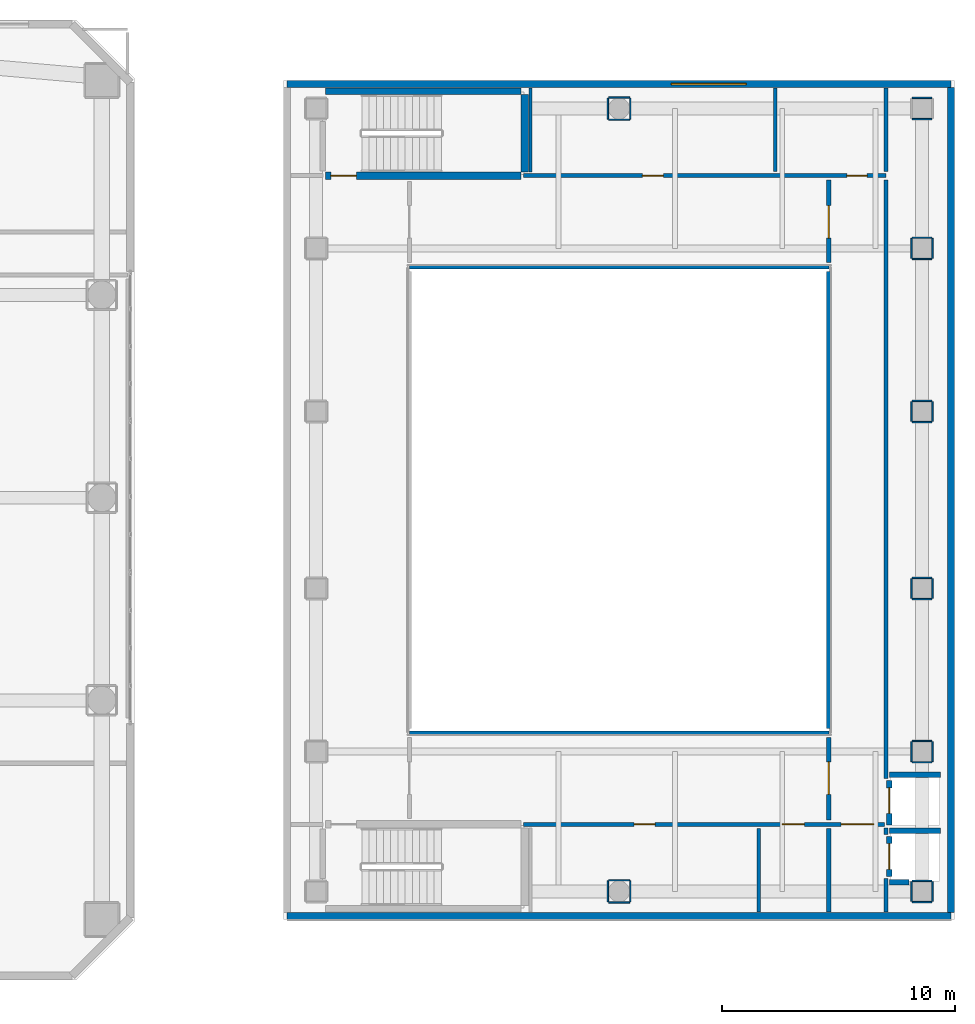
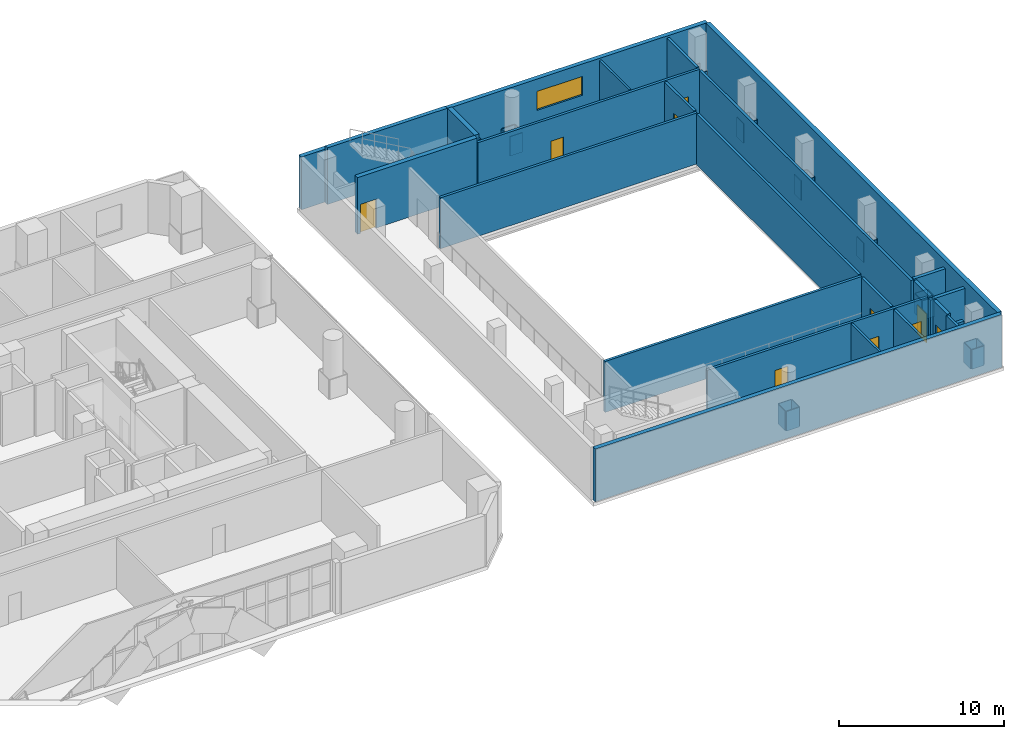
# One storey, part 18 of 22: 56 walls, 10 doors, 1 window, 11 openings.
"""IFC4 building model written with IfcOpenShell, lengths in metres."""

from ifc_helpers import new_model, si_unit, direction, frame, frame_2d, origin, place, context, subcontext, project, spatial, rectangle, extrude, material, layer, layer_set, type_object, element, fill, save


model = new_model("IFC4")

# Units and contexts
model_context = context("Model", 3, precision=1e-05, world=origin(), true_north=direction((0.0, 1.0)))
body_context = subcontext(model_context, "Body", "Model", "MODEL_VIEW")
ifc_project = project(units=[si_unit("LENGTHUNIT", "METRE"), si_unit("AREAUNIT", "SQUARE_METRE"), si_unit("VOLUMEUNIT", "CUBIC_METRE"), si_unit("PLANEANGLEUNIT", "RADIAN"), si_unit("MASSUNIT", "GRAM", prefix="KILO")], contexts=[model_context])

# Site, building, storey
site_placement = place(None, origin())
site = spatial("IfcSite", under=ifc_project, at=site_placement, CompositionType="ELEMENT")
building_placement = place(site_placement, origin())
building = spatial("IfcBuilding", under=site, at=building_placement, Name="Solanera Arch Residences", CompositionType="ELEMENT")
storey_placement = place(building_placement, frame((0.0, 0.0, 13.60009765625)))
storey = spatial("IfcBuildingStorey", under=building, at=storey_placement, Name="L03", CompositionType="ELEMENT", Elevation=13.60009765625)

# Walls
ifc_material_1 = material(Name="Fire-Rated Gypsum Stud Partition", Category="gypsum")
ifc_layer_1 = layer(ifc_material_1, 0.06005859375)
ifc_layer_set_1 = layer_set([ifc_layer_1], Name="Fire-Rated Gypsum Stud Partition")
wall_type_1 = type_object("IfcWallType", Name="Column Acoustic Furring Wall 60", PredefinedType="PARTITIONING", material=ifc_layer_set_1)
for number, where, z_axis, x_axis, name in (
    (1, (81.375, 13.343017578125, 0.0), (0.0, 0.0, 1.0), (1.0, 0.0, 0.0), "L03 Column Furring 31S"),
    (2, (81.375, 14.257080078125, 0.0), (0.0, 0.0, 1.0), (1.0, 0.0, 0.0), "L03 Column Furring 31N"),
    (3, (81.343017578125, 13.375, 0.0), (0.0, 0.0, 1.0), (0.0, 1.0, 0.0), "L03 Column Furring 31W"),
    (4, (82.257080078125, 13.375, 0.0), (0.0, 0.0, 1.0), (0.0, 1.0, 0.0), "L03 Column Furring 31E"),
    (5, (81.375, 19.343017578125, 0.0), (0.0, 0.0, 1.0), (1.0, 0.0, 0.0), "L03 Column Furring 32S"),
    (6, (81.375, 20.257080078125, 0.0), (0.0, 0.0, 1.0), (1.0, 0.0, 0.0), "L03 Column Furring 32N"),
    (7, (81.343017578125, 19.375, 0.0), (0.0, 0.0, 1.0), (0.0, 1.0, 0.0), "L03 Column Furring 32W"),
    (8, (82.257080078125, 19.375, 0.0), (0.0, 0.0, 1.0), (0.0, 1.0, 0.0), "L03 Column Furring 32E"),
    (9, (81.375, 26.343017578125, 0.0), (0.0, 0.0, 1.0), (1.0, 0.0, 0.0), "L03 Column Furring 33S"),
    (10, (81.375, 27.257080078125, 0.0), (0.0, 0.0, 1.0), (1.0, 0.0, 0.0), "L03 Column Furring 33N"),
    (11, (81.343017578125, 26.375, 0.0), (0.0, 0.0, 1.0), (0.0, 1.0, 0.0), "L03 Column Furring 33W"),
    (12, (82.257080078125, 26.375, 0.0), (0.0, 0.0, 1.0), (0.0, 1.0, 0.0), "L03 Column Furring 33E"),
    (13, (81.375, 33.943115234375, 0.0), (0.0, 0.0, 1.0), (1.0, 0.0, 0.0), "L03 Column Furring 34S"),
    (14, (81.375, 34.85693359375, 0.0), (0.0, 0.0, 1.0), (1.0, 0.0, 0.0), "L03 Column Furring 34N"),
):
    element("IfcWall", number, at=place(storey_placement, frame(where, z_axis=z_axis, x_axis=x_axis)), inside=storey, type_object=wall_type_1, Name=name, PredefinedType="PARTITIONING", context=body_context, shape_type="SweptSolid", body=[
        extrude(rectangle(XDim=0.85009765625, YDim=0.06005859375, at=frame_2d((0.425048828125, 0.0))), origin(), (0.0, 0.0, 1.0), 1.449951171875),
    ])
for number, where, z_axis, x_axis, name in (
    (15, (81.343017578125, 33.97509765625, 0.0), (0.0, 0.0, 1.0), (0.0, 1.0, 0.0), "L03 Column Furring 34W"),
    (16, (82.257080078125, 33.97509765625, 0.0), (0.0, 0.0, 1.0), (0.0, 1.0, 0.0), "L03 Column Furring 34E"),
):
    element("IfcWall", number, at=place(storey_placement, frame(where, z_axis=z_axis, x_axis=x_axis)), inside=storey, type_object=wall_type_1, Name=name, PredefinedType="PARTITIONING", context=body_context, shape_type="SweptSolid", body=[
        extrude(rectangle(XDim=0.849853515625, YDim=0.06005859375, at=frame_2d((0.4248046875, 0.0))), origin(), (0.0, 0.0, 1.0), 1.449951171875),
    ])
for number, where, z_axis, x_axis, name in (
    (17, (81.375, 40.943115234375, 0.0), (0.0, 0.0, 1.0), (1.0, 0.0, 0.0), "L03 Column Furring 35S"),
    (18, (81.375, 41.85693359375, 0.0), (0.0, 0.0, 1.0), (1.0, 0.0, 0.0), "L03 Column Furring 35N"),
):
    element("IfcWall", number, at=place(storey_placement, frame(where, z_axis=z_axis, x_axis=x_axis)), inside=storey, type_object=wall_type_1, Name=name, PredefinedType="PARTITIONING", context=body_context, shape_type="SweptSolid", body=[
        extrude(rectangle(XDim=0.85009765625, YDim=0.06005859375, at=frame_2d((0.425048828125, 0.0))), origin(), (0.0, 0.0, 1.0), 1.449951171875),
    ])
for number, where, z_axis, x_axis, name in (
    (19, (81.343017578125, 40.97509765625, 0.0), (0.0, 0.0, 1.0), (0.0, 1.0, 0.0), "L03 Column Furring 35W"),
    (20, (82.257080078125, 40.97509765625, 0.0), (0.0, 0.0, 1.0), (0.0, 1.0, 0.0), "L03 Column Furring 35E"),
):
    element("IfcWall", number, at=place(storey_placement, frame(where, z_axis=z_axis, x_axis=x_axis)), inside=storey, type_object=wall_type_1, Name=name, PredefinedType="PARTITIONING", context=body_context, shape_type="SweptSolid", body=[
        extrude(rectangle(XDim=0.849853515625, YDim=0.06005859375, at=frame_2d((0.4248046875, 0.0))), origin(), (0.0, 0.0, 1.0), 1.449951171875),
    ])
for number, where, z_axis, x_axis, name in (
    (21, (81.375, 46.943115234375, 0.0), (0.0, 0.0, 1.0), (1.0, 0.0, 0.0), "L03 Column Furring 36S"),
    (22, (81.375, 47.85693359375, 0.0), (0.0, 0.0, 1.0), (1.0, 0.0, 0.0), "L03 Column Furring 36N"),
):
    element("IfcWall", number, at=place(storey_placement, frame(where, z_axis=z_axis, x_axis=x_axis)), inside=storey, type_object=wall_type_1, Name=name, PredefinedType="PARTITIONING", context=body_context, shape_type="SweptSolid", body=[
        extrude(rectangle(XDim=0.85009765625, YDim=0.06005859375, at=frame_2d((0.425048828125, 0.0))), origin(), (0.0, 0.0, 1.0), 1.449951171875),
    ])
for number, where, z_axis, x_axis, name in (
    (23, (68.35009765625, 13.318115234375, 0.0), (0.0, 0.0, 1.0), (1.0, 0.0, 0.0), "L03 Column Furring 37S"),
    (24, (68.35009765625, 14.281982421875, 0.0), (0.0, 0.0, 1.0), (1.0, 0.0, 0.0), "L03 Column Furring 37N"),
    (25, (68.318115234375, 13.35009765625, 0.0), (0.0, 0.0, 1.0), (0.0, 1.0, 0.0), "L03 Column Furring 37W"),
    (26, (69.281982421875, 13.35009765625, 0.0), (0.0, 0.0, 1.0), (0.0, 1.0, 0.0), "L03 Column Furring 37E"),
    (27, (68.35009765625, 46.91796875, 0.0), (0.0, 0.0, 1.0), (1.0, 0.0, 0.0), "L03 Column Furring 38S"),
    (28, (68.35009765625, 47.882080078125, 0.0), (0.0, 0.0, 1.0), (1.0, 0.0, 0.0), "L03 Column Furring 38N"),
):
    element("IfcWall", number, at=place(storey_placement, frame(where, z_axis=z_axis, x_axis=x_axis)), inside=storey, type_object=wall_type_1, Name=name, PredefinedType="PARTITIONING", context=body_context, shape_type="SweptSolid", body=[
        extrude(rectangle(XDim=0.89990234375, YDim=0.06005859375, at=frame_2d((0.449951171875, 0.0))), origin(), (0.0, 0.0, 1.0), 1.449951171875),
    ])
for number, where, z_axis, x_axis, name in (
    (29, (68.318115234375, 46.949951171875, 0.0), (0.0, 0.0, 1.0), (0.0, 1.0, 0.0), "L03 Column Furring 38W"),
    (30, (69.281982421875, 46.949951171875, 0.0), (0.0, 0.0, 1.0), (0.0, 1.0, 0.0), "L03 Column Furring 38E"),
):
    element("IfcWall", number, at=place(storey_placement, frame(where, z_axis=z_axis, x_axis=x_axis)), inside=storey, type_object=wall_type_1, Name=name, PredefinedType="PARTITIONING", context=body_context, shape_type="SweptSolid", body=[
        extrude(rectangle(XDim=0.900146484375, YDim=0.06005859375, at=frame_2d((0.4501953125, 0.0))), origin(), (0.0, 0.0, 1.0), 1.449951171875),
    ])
ifc_material_2 = material(Name="Concrete C40/50 (f'c = 45 MPa)", Category="concrete")
ifc_layer_2 = layer(ifc_material_2, 0.320068359375)
ifc_layer_set_2 = layer_set([ifc_layer_2], Name="Concrete C40/50 (f'c = 45 MPa)")
wall_type_2 = type_object("IfcWallType", Name="Core Shear Wall CW-320", PredefinedType="SHEAR", material=ifc_layer_set_2)
wall_1_placement = place(storey_placement, frame((64.760009765625, 44.679931640625, 0.0), z_axis=(0.0, 0.0, 1.0), x_axis=(0.0, 1.0, 0.0)))
element("IfcWall", 31, at=wall_1_placement, inside=storey, type_object=wall_type_2, Name="L03 Stair ST-H2 East Shear Wall", PredefinedType="SHEAR", context=body_context, shape_type="SweptSolid", body=[
    extrude(rectangle(XDim=3.320068359375, YDim=0.320068359375, at=frame_2d((1.66015625, 0.0))), origin(), (0.0, 0.0, 1.0), 4.199951171875),
])
wall_2_placement = place(storey_placement, frame((56.199951171875, 48.139892578125, 0.0), z_axis=(0.0, 0.0, 1.0), x_axis=(1.0, 0.0, 0.0)))
element("IfcWall", 32, at=wall_2_placement, inside=storey, type_object=wall_type_2, Name="L03 Stair ST-H2 North Shear Wall", PredefinedType="SHEAR", context=body_context, shape_type="SweptSolid", body=[
    extrude(rectangle(XDim=8.400146484375, YDim=0.280029296875, at=frame_2d((4.2001953125, 0.0))), origin(), (0.0, 0.0, 1.0), 4.199951171875),
])

# Wall, opening, door
wall_3_placement = place(storey_placement, frame((56.199951171875, 44.52001953125, 0.0), z_axis=(0.0, 0.0, 1.0), x_axis=(1.0, 0.0, 0.0)))
wall_3 = element("IfcWall", 33, at=wall_3_placement, inside=storey, type_object=wall_type_2, Name="L03 Stair ST-H2 South Shear Wall", PredefinedType="SHEAR", context=body_context, shape_type="SweptSolid", body=[
    extrude(rectangle(XDim=8.400146484375, YDim=0.320068359375, at=frame_2d((4.2001953125, 0.0))), origin(), (0.0, 0.0, 1.0), 4.199951171875),
])
opening_1_placement = place(wall_3_placement, frame((0.22998046875, 0.0, 0.0)))
opening_1 = element("IfcOpeningElement", 34, at=opening_1_placement, cuts=wall_3, Name="Opening DF-01", PredefinedType="OPENING", context=body_context, shape_type="SweptSolid", body=[
    extrude(rectangle(XDim=1.10009765625, YDim=2.14990234375, at=frame_2d((0.550048828125, 1.074951171875))), frame((0.0, 0.169921875, 0.0), z_axis=(0.0, -1.0, 0.0), x_axis=(1.0, 0.0, 0.0)), (0.0, 0.0, 1.0), 0.3401),
])
ifc_material_3 = material(Name="Fire-Rated Architectural Hardwood", Category="wood")
door_type_1 = type_object("IfcDoorType", Name="Stair Exit Fire Door DF-01", OperationType="NOTDEFINED", PredefinedType="DOOR", material=ifc_material_3)
door_1_placement = place(opening_1_placement, origin())
door_1 = element("IfcDoor", 35, at=door_1_placement, inside=storey, type_object=door_type_1, Name="DR-L03-STAIR-ST-H2", OperationType="SINGLE_SWING_RIGHT", OverallHeight=2.14990234375, OverallWidth=1.10009765625, PredefinedType="DOOR", context=body_context, shape_type="SweptSolid", body=[
    extrude(rectangle(XDim=1.10009765625, YDim=2.14990234375, at=frame_2d((0.550048828125, 1.074951171875))), frame((0.0, 0.02490234375, 0.0), z_axis=(0.0, -1.0, 0.0), x_axis=(1.0, 0.0, 0.0)), (0.0, 0.0, 1.0), 0.050048828125),
])
fill(opening_1, door_1)

# Wall, openings, doors
ifc_material_4 = material(Name="Autoclaved Aerated Concrete Blockwork", Category="masonry")
ifc_layer_3 = layer(ifc_material_4, 0.179931640625)
ifc_layer_set_3 = layer_set([ifc_layer_3], Name="Autoclaved Aerated Concrete Blockwork")
wall_type_3 = type_object("IfcWallType", Name="Corridor Fire Partition 180", PredefinedType="PARTITIONING", material=ifc_layer_set_3)
wall_4_placement = place(storey_placement, frame((64.699951171875, 16.679931640625, 0.0), z_axis=(0.0, 0.0, 1.0), x_axis=(1.0, 0.0, 0.0)))
wall_4 = element("IfcWall", 36, at=wall_4_placement, inside=storey, type_object=wall_type_3, Name="L03 Interior Partition H7 2", PredefinedType="PARTITIONING", context=body_context, shape_type="SweptSolid", body=[
    extrude(rectangle(XDim=15.48193359375, YDim=0.179931640625, at=frame_2d((7.740966796875, 0.0))), origin(), (0.0, 0.0, 1.0), 3.77978515625),
])
opening_2_placement = place(wall_4_placement, frame((13.625, 0.0, 0.0)))
opening_2 = element("IfcOpeningElement", 37, at=opening_2_placement, cuts=wall_4, Name="Opening DF-03", PredefinedType="OPENING", context=body_context, shape_type="SweptSolid", body=[
    extrude(rectangle(XDim=1.39990234375, YDim=2.14990234375, at=frame_2d((0.699951171875, 1.074951171875))), frame((0.0, 0.10009765625, 0.0), z_axis=(0.0, -1.0, 0.0), x_axis=(1.0, 0.0, 0.0)), (0.0, 0.0, 1.0), 0.1999),
])
opening_3_placement = place(wall_4_placement, frame((4.75, 0.0, 0.0)))
opening_3 = element("IfcOpeningElement", 38, at=opening_3_placement, cuts=wall_4, Name="Opening DI-02", PredefinedType="OPENING", context=body_context, shape_type="SweptSolid", body=[
    extrude(rectangle(XDim=0.89990234375, YDim=2.10009765625, at=frame_2d((0.449951171875, 1.050048828125))), frame((0.0, 0.10009765625, 0.0), z_axis=(0.0, -1.0, 0.0), x_axis=(1.0, 0.0, 0.0)), (0.0, 0.0, 1.0), 0.1999),
])
opening_4_placement = place(wall_4_placement, frame((11.10107421875, 0.0, 0.0)))
opening_4 = element("IfcOpeningElement", 39, at=opening_4_placement, cuts=wall_4, Name="Opening DI-04", PredefinedType="OPENING", context=body_context, shape_type="SweptSolid", body=[
    extrude(rectangle(XDim=0.949951171875, YDim=2.10009765625, at=frame_2d((0.47509765625, 1.050048828125))), frame((0.0, 0.10009765625, 0.0), z_axis=(0.0, -1.0, 0.0), x_axis=(1.0, 0.0, 0.0)), (0.0, 0.0, 1.0), 0.1999),
])
ifc_material_5 = material(Name="Fire-Rated Architectural Hardwood", Category="wood")
door_type_2 = type_object("IfcDoorType", Name="Accessible Restroom Door DI-04", OperationType="NOTDEFINED", PredefinedType="DOOR", material=ifc_material_5)
door_2_placement = place(opening_4_placement, origin())
door_2 = element("IfcDoor", 40, at=door_2_placement, inside=storey, type_object=door_type_2, Name="DR-L03-IN-034", OperationType="SINGLE_SWING_LEFT", OverallHeight=2.10009765625, OverallWidth=0.949951171875, PredefinedType="DOOR", context=body_context, shape_type="SweptSolid", body=[
    extrude(rectangle(XDim=0.949951171875, YDim=2.10009765625, at=frame_2d((0.47509765625, 1.050048828125))), frame((0.0, 0.02490234375, 0.0), z_axis=(0.0, -1.0, 0.0), x_axis=(1.0, 0.0, 0.0)), (0.0, 0.0, 1.0), 0.050048828125),
])
fill(opening_4, door_2)
ifc_material_6 = material(Name="Fire-Rated Architectural Hardwood", Category="wood")
door_type_3 = type_object("IfcDoorType", Name="Corridor Smoke Door DF-03", OperationType="NOTDEFINED", PredefinedType="DOOR", material=ifc_material_6)
door_3_placement = place(opening_2_placement, origin())
door_3 = element("IfcDoor", 41, at=door_3_placement, inside=storey, type_object=door_type_3, Name="DR-L03-IN-022", OperationType="SINGLE_SWING_LEFT", OverallHeight=2.14990234375, OverallWidth=1.39990234375, PredefinedType="DOOR", context=body_context, shape_type="SweptSolid", body=[
    extrude(rectangle(XDim=1.39990234375, YDim=2.14990234375, at=frame_2d((0.699951171875, 1.074951171875))), frame((0.0, 0.02490234375, 0.0), z_axis=(0.0, -1.0, 0.0), x_axis=(1.0, 0.0, 0.0)), (0.0, 0.0, 1.0), 0.050048828125),
])
fill(opening_2, door_3)
ifc_material_7 = material(Name="Fire-Rated Architectural Hardwood", Category="wood")
door_type_4 = type_object("IfcDoorType", Name="Suite Room Swing Door DI-02", OperationType="NOTDEFINED", PredefinedType="DOOR", material=ifc_material_7)
door_4_placement = place(opening_3_placement, origin())
door_4 = element("IfcDoor", 42, at=door_4_placement, inside=storey, type_object=door_type_4, Name="DR-L03-IN-033", OperationType="SINGLE_SWING_RIGHT", OverallHeight=2.10009765625, OverallWidth=0.89990234375, PredefinedType="DOOR", context=body_context, shape_type="SweptSolid", body=[
    extrude(rectangle(XDim=0.89990234375, YDim=2.10009765625, at=frame_2d((0.449951171875, 1.050048828125))), frame((0.0, 0.02490234375, 0.0), z_axis=(0.0, -1.0, 0.0), x_axis=(1.0, 0.0, 0.0)), (0.0, 0.0, 1.0), 0.050048828125),
])
fill(opening_3, door_4)

# Walls
for number, where, z_axis, x_axis, name in (
    (43, (59.800048828125, 20.60009765625, 0.0), (0.0, 0.0, 1.0), (1.0, 0.0, 0.0), "L03 Interior Partition H9"),
    (44, (59.800048828125, 40.60009765625, 0.0), (0.0, 0.0, 1.0), (1.0, 0.0, 0.0), "L03 Interior Partition H14"),
):
    element("IfcWall", number, at=place(storey_placement, frame(where, z_axis=z_axis, x_axis=x_axis)), inside=storey, type_object=wall_type_3, Name=name, PredefinedType="PARTITIONING", context=body_context, shape_type="SweptSolid", body=[
        extrude(rectangle(XDim=18.0, YDim=0.179931640625, at=frame_2d((9.0, 0.0))), origin(), (0.0, 0.0, 1.0), 3.77978515625),
    ])

# Wall, openings, doors
wall_5_placement = place(storey_placement, frame((64.699951171875, 44.52001953125, 0.0), z_axis=(0.0, 0.0, 1.0), x_axis=(1.0, 0.0, 0.0)))
wall_5 = element("IfcWall", 45, at=wall_5_placement, inside=storey, type_object=wall_type_3, Name="L03 Interior Partition H16 2", PredefinedType="PARTITIONING", context=body_context, shape_type="SweptSolid", body=[
    extrude(rectangle(XDim=15.550048828125, YDim=0.179931640625, at=frame_2d((7.77490234375, 0.0))), origin(), (0.0, 0.0, 1.0), 3.77978515625),
])
opening_5_placement = place(wall_5_placement, frame((5.10009765625, 0.0, 0.0)))
opening_5 = element("IfcOpeningElement", 46, at=opening_5_placement, cuts=wall_5, Name="Opening DI-02", PredefinedType="OPENING", context=body_context, shape_type="SweptSolid", body=[
    extrude(rectangle(XDim=0.89990234375, YDim=2.10009765625, at=frame_2d((0.449951171875, 1.050048828125))), frame((0.0, 0.10009765625, 0.0), z_axis=(0.0, -1.0, 0.0), x_axis=(1.0, 0.0, 0.0)), (0.0, 0.0, 1.0), 0.1999),
])
opening_6_placement = place(wall_5_placement, frame((13.881103515625, 0.0, 0.0)))
opening_6 = element("IfcOpeningElement", 47, at=opening_6_placement, cuts=wall_5, Name="Opening DI-05", PredefinedType="OPENING", context=body_context, shape_type="SweptSolid", body=[
    extrude(rectangle(XDim=0.860107421875, YDim=2.02001953125, at=frame_2d((0.43017578125, 1.010009765625))), frame((0.0, 0.10009765625, 0.0), z_axis=(0.0, -1.0, 0.0), x_axis=(1.0, 0.0, 0.0)), (0.0, 0.0, 1.0), 0.1999),
])
ifc_material_8 = material(Name="Fire-Rated Architectural Hardwood", Category="wood")
door_type_5 = type_object("IfcDoorType", Name="Bathroom Swing Door DI-05", OperationType="NOTDEFINED", PredefinedType="DOOR", material=ifc_material_8)
door_5_placement = place(opening_6_placement, origin())
door_5 = element("IfcDoor", 48, at=door_5_placement, inside=storey, type_object=door_type_5, Name="DR-L03-IN-036", OperationType="SINGLE_SWING_LEFT", OverallHeight=2.02001953125, OverallWidth=0.860107421875, PredefinedType="DOOR", context=body_context, shape_type="SweptSolid", body=[
    extrude(rectangle(XDim=0.860107421875, YDim=2.02001953125, at=frame_2d((0.43017578125, 1.010009765625))), frame((0.0, 0.02490234375, 0.0), z_axis=(0.0, -1.0, 0.0), x_axis=(1.0, 0.0, 0.0)), (0.0, 0.0, 1.0), 0.050048828125),
])
fill(opening_6, door_5)
door_6_placement = place(opening_5_placement, origin())
door_6 = element("IfcDoor", 49, at=door_6_placement, inside=storey, type_object=door_type_4, Name="DR-L03-IN-035", OperationType="SINGLE_SWING_RIGHT", OverallHeight=2.10009765625, OverallWidth=0.89990234375, PredefinedType="DOOR", context=body_context, shape_type="SweptSolid", body=[
    extrude(rectangle(XDim=0.89990234375, YDim=2.10009765625, at=frame_2d((0.449951171875, 1.050048828125))), frame((0.0, 0.02490234375, 0.0), z_axis=(0.0, -1.0, 0.0), x_axis=(1.0, 0.0, 0.0)), (0.0, 0.0, 1.0), 0.050048828125),
])
fill(opening_5, door_6)

# Wall
wall_6_placement = place(storey_placement, frame((77.800048828125, 12.912109375, 0.0), z_axis=(0.0, 0.0, 1.0), x_axis=(0.0, 1.0, 0.0)))
element("IfcWall", 50, at=wall_6_placement, inside=storey, type_object=wall_type_3, Name="L03 Interior Partition V15 1", PredefinedType="PARTITIONING", context=body_context, shape_type="SweptSolid", body=[
    extrude(rectangle(XDim=3.579833984375, YDim=0.179931640625, at=frame_2d((1.7900390625, 0.0))), origin(), (0.0, 0.0, 1.0), 3.77978515625),
])

# Wall, opening, door
wall_7_placement = place(storey_placement, frame((77.800048828125, 16.867919921875, 0.0), z_axis=(0.0, 0.0, 1.0), x_axis=(0.0, 1.0, 0.0)))
wall_7 = element("IfcWall", 51, at=wall_7_placement, inside=storey, type_object=wall_type_3, Name="L03 Interior Partition V15 2", PredefinedType="PARTITIONING", context=body_context, shape_type="SweptSolid", body=[
    extrude(rectangle(XDim=3.544189453125, YDim=0.179931640625, at=frame_2d((1.77197265625, 0.0))), origin(), (0.0, 0.0, 1.0), 3.77978515625),
])
opening_7_placement = place(wall_7_placement, frame((1.095947265625, 0.0, 0.0)))
opening_7 = element("IfcOpeningElement", 52, at=opening_7_placement, cuts=wall_7, Name="Opening DF-03", PredefinedType="OPENING", context=body_context, shape_type="SweptSolid", body=[
    extrude(rectangle(XDim=1.39990234375, YDim=2.14990234375, at=frame_2d((0.699951171875, 1.074951171875))), frame((0.0, 0.10009765625, 0.0), z_axis=(0.0, -1.0, 0.0), x_axis=(1.0, 0.0, 0.0)), (0.0, 0.0, 1.0), 0.1999),
])
door_7_placement = place(opening_7_placement, origin())
door_7 = element("IfcDoor", 53, at=door_7_placement, inside=storey, type_object=door_type_3, Name="DR-L03-IN-020", OperationType="SINGLE_SWING_LEFT", OverallHeight=2.14990234375, OverallWidth=1.39990234375, PredefinedType="DOOR", context=body_context, shape_type="SweptSolid", body=[
    extrude(rectangle(XDim=1.39990234375, YDim=2.14990234375, at=frame_2d((0.699951171875, 1.074951171875))), frame((0.0, 0.02490234375, 0.0), z_axis=(0.0, -1.0, 0.0), x_axis=(1.0, 0.0, 0.0)), (0.0, 0.0, 1.0), 0.050048828125),
])
fill(opening_7, door_7)

# Wall
wall_8_placement = place(storey_placement, frame((77.800048828125, 20.7880859375, 0.0), z_axis=(0.0, 0.0, 1.0), x_axis=(0.0, 1.0, 0.0)))
element("IfcWall", 54, at=wall_8_placement, inside=storey, type_object=wall_type_3, Name="L03 Interior Partition V15 3", PredefinedType="PARTITIONING", context=body_context, shape_type="SweptSolid", body=[
    extrude(rectangle(XDim=19.6240234375, YDim=0.179931640625, at=frame_2d((9.81201171875, 0.0))), origin(), (0.0, 0.0, 1.0), 3.77978515625),
])

# Wall, opening, door
wall_9_placement = place(storey_placement, frame((77.800048828125, 40.7880859375, 0.0), z_axis=(0.0, 0.0, 1.0), x_axis=(0.0, 1.0, 0.0)))
wall_9 = element("IfcWall", 55, at=wall_9_placement, inside=storey, type_object=wall_type_3, Name="L03 Interior Partition V15 4", PredefinedType="PARTITIONING", context=body_context, shape_type="SweptSolid", body=[
    extrude(rectangle(XDim=3.5439453125, YDim=0.179931640625, at=frame_2d((1.77197265625, 0.0))), origin(), (0.0, 0.0, 1.0), 3.77978515625),
])
opening_8_placement = place(wall_9_placement, frame((1.048095703125, 0.0, 0.0)))
opening_8 = element("IfcOpeningElement", 56, at=opening_8_placement, cuts=wall_9, Name="Opening DF-03", PredefinedType="OPENING", context=body_context, shape_type="SweptSolid", body=[
    extrude(rectangle(XDim=1.39990234375, YDim=2.14990234375, at=frame_2d((0.699951171875, 1.074951171875))), frame((0.0, 0.10009765625, 0.0), z_axis=(0.0, -1.0, 0.0), x_axis=(1.0, 0.0, 0.0)), (0.0, 0.0, 1.0), 0.1999),
])
door_8_placement = place(opening_8_placement, origin())
door_8 = element("IfcDoor", 57, at=door_8_placement, inside=storey, type_object=door_type_3, Name="DR-L03-IN-021", OperationType="SINGLE_SWING_RIGHT", OverallHeight=2.14990234375, OverallWidth=1.39990234375, PredefinedType="DOOR", context=body_context, shape_type="SweptSolid", body=[
    extrude(rectangle(XDim=1.39990234375, YDim=2.14990234375, at=frame_2d((0.699951171875, 1.074951171875))), frame((0.0, 0.02490234375, 0.0), z_axis=(0.0, -1.0, 0.0), x_axis=(1.0, 0.0, 0.0)), (0.0, 0.0, 1.0), 0.050048828125),
])
fill(opening_8, door_8)

# Walls
wall_10_placement = place(storey_placement, frame((80.25, 12.912109375, 0.0), z_axis=(0.0, 0.0, 1.0), x_axis=(0.0, 1.0, 0.0)))
element("IfcWall", 58, at=wall_10_placement, inside=storey, type_object=wall_type_3, Name="L03 Interior Partition V16 1", PredefinedType="PARTITIONING", context=body_context, shape_type="SweptSolid", body=[
    extrude(rectangle(XDim=1.44287109375, YDim=0.179931640625, at=frame_2d((0.721435546875, 0.0))), origin(), (0.0, 0.0, 1.0), 3.77978515625),
])
wall_11_placement = place(storey_placement, frame((80.25, 16.2451171875, 0.0), z_axis=(0.0, 0.0, 1.0), x_axis=(0.0, 1.0, 0.0)))
element("IfcWall", 59, at=wall_11_placement, inside=storey, type_object=wall_type_3, Name="L03 Interior Partition V16 2", PredefinedType="PARTITIONING", context=body_context, shape_type="SweptSolid", body=[
    extrude(rectangle(XDim=0.27490234375, YDim=0.179931640625, at=frame_2d((0.137451171875, 0.0))), origin(), (0.0, 0.0, 1.0), 3.77978515625),
])
wall_12_placement = place(storey_placement, frame((80.25, 18.64501953125, 0.0), z_axis=(0.0, 0.0, 1.0), x_axis=(0.0, 1.0, 0.0)))
element("IfcWall", 60, at=wall_12_placement, inside=storey, type_object=wall_type_3, Name="L03 Interior Partition V16 3", PredefinedType="PARTITIONING", context=body_context, shape_type="SweptSolid", body=[
    extrude(rectangle(XDim=25.68701171875, YDim=0.179931640625, at=frame_2d((12.843505859375, 0.0))), origin(), (0.0, 0.0, 1.0), 3.77978515625),
])
wall_13_placement = place(storey_placement, frame((80.25, 44.7080078125, 0.0), z_axis=(0.0, 0.0, 1.0), x_axis=(0.0, 1.0, 0.0)))
element("IfcWall", 61, at=wall_13_placement, inside=storey, type_object=wall_type_3, Name="L03 Interior Partition V16 4", PredefinedType="PARTITIONING", context=body_context, shape_type="SweptSolid", body=[
    extrude(rectangle(XDim=3.580078125, YDim=0.179931640625, at=frame_2d((1.7900390625, 0.0))), origin(), (0.0, 0.0, 1.0), 3.77978515625),
])
ifc_material_9 = material(Name="Precast Concrete C35/45", Category="concrete")
ifc_layer_4 = layer(ifc_material_9, 0.300048828125)
ifc_layer_set_4 = layer_set([ifc_layer_4], Name="Precast Concrete C35/45")
wall_type_4 = type_object("IfcWallType", Name="Exterior Wall Precast Masonry-Frame 300", PredefinedType="STANDARD", material=ifc_layer_set_4)
wall_14_placement = place(storey_placement, frame((83.050048828125, 12.75, 0.0), z_axis=(0.0, 0.0, 1.0), x_axis=(-1.0, 0.0, 0.0)))
element("IfcWall", 62, at=wall_14_placement, inside=storey, type_object=wall_type_4, Name="L03 Sports Hall Exterior Precast Wall S", PredefinedType="STANDARD", context=body_context, shape_type="SweptSolid", body=[
    extrude(rectangle(XDim=28.5, YDim=0.300048828125, at=frame_2d((14.25, 0.0))), origin(), (0.0, 0.0, 1.0), 3.919921875),
])

# Wall, opening, window
wall_15_placement = place(storey_placement, frame((54.550048828125, 48.449951171875, 0.0), z_axis=(0.0, 0.0, 1.0), x_axis=(1.0, 0.0, 0.0)))
wall_15 = element("IfcWall", 63, at=wall_15_placement, inside=storey, type_object=wall_type_4, Name="L03 Sports Hall Exterior Precast Wall N", PredefinedType="STANDARD", context=body_context, shape_type="SweptSolid", body=[
    extrude(rectangle(XDim=28.5, YDim=0.300048828125, at=frame_2d((14.25, 0.0))), origin(), (0.0, 0.0, 1.0), 3.919921875),
])
opening_9_placement = place(wall_15_placement, frame((16.5, 0.0, 1.60009765625)))
opening_9 = element("IfcOpeningElement", 64, at=opening_9_placement, cuts=wall_15, Name="Opening W-13", PredefinedType="OPENING", context=body_context, shape_type="SweptSolid", body=[
    extrude(rectangle(XDim=3.199951171875, YDim=1.39990234375, at=frame_2d((1.60009765625, 0.699951171875))), frame((0.0, 0.159912109375, 0.0), z_axis=(0.0, -1.0, 0.0), x_axis=(1.0, 0.0, 0.0)), (0.0, 0.0, 1.0), 0.32),
])
ifc_material_10 = material(Name="Double Glazed Low-E Laminated Glass", Category="glass")
window_type = type_object("IfcWindowType", Name="Arena Clerestory Window W-13", PartitioningType="DOUBLE_PANEL_HORIZONTAL", PredefinedType="LIGHTDOME", material=ifc_material_10)
window_placement = place(opening_9_placement, origin())
window = element("IfcWindow", 65, at=window_placement, inside=storey, type_object=window_type, Name="L03 Sports Hall North Clerestory Window 3", OverallHeight=1.39990234375, OverallWidth=3.199951171875, PartitioningType="SINGLE_PANEL", PredefinedType="LIGHTDOME", context=body_context, shape_type="SweptSolid", body=[
    extrude(rectangle(XDim=3.199951171875, YDim=1.39990234375, at=frame_2d((1.60009765625, 0.699951171875))), frame((0.0, 0.030029296875, 0.0), z_axis=(0.0, -1.0, 0.0), x_axis=(1.0, 0.0, 0.0)), (0.0, 0.0, 1.0), 0.06005859375),
])
fill(opening_9, window)

# Walls
wall_16_placement = place(storey_placement, frame((83.050048828125, 48.300048828125, 0.0), z_axis=(0.0, 0.0, 1.0), x_axis=(0.0, -1.0, 0.0)))
element("IfcWall", 66, at=wall_16_placement, inside=storey, type_object=wall_type_4, Name="L03 Sports Hall Exterior Precast Wall E", PredefinedType="STANDARD", context=body_context, shape_type="SweptSolid", body=[
    extrude(rectangle(XDim=35.400146484375, YDim=0.300048828125, at=frame_2d((17.7001953125, 0.0))), origin(), (0.0, 0.0, 1.0), 3.919921875),
])
ifc_material_11 = material(Name="Autoclaved Aerated Concrete Blockwork", Category="masonry")
ifc_layer_5 = layer(ifc_material_11, 0.239990234375)
ifc_layer_set_5 = layer_set([ifc_layer_5], Name="Autoclaved Aerated Concrete Blockwork")
wall_type_5 = type_object("IfcWallType", Name="Shaft Wall Fire-Rated 240", PredefinedType="PARTITIONING", material=ifc_layer_set_5)
wall_17_placement = place(storey_placement, frame((80.39990234375, 14.199951171875, 0.0), z_axis=(0.0, 0.0, 1.0), x_axis=(1.0, 0.0, 0.0)))
element("IfcWall", 67, at=wall_17_placement, inside=storey, type_object=wall_type_5, Name="L03 Lift PL-SH1 Hoistway Wall S", PredefinedType="PARTITIONING", context=body_context, shape_type="SweptSolid", body=[
    extrude(rectangle(XDim=0.843017578125, YDim=0.239990234375, at=frame_2d((0.42138671875, 0.0))), origin(), (0.0, 0.0, 1.0), 3.15478515625),
])
wall_18_placement = place(storey_placement, frame((80.39990234375, 16.39990234375, 0.0), z_axis=(0.0, 0.0, 1.0), x_axis=(1.0, 0.0, 0.0)))
element("IfcWall", 68, at=wall_18_placement, inside=storey, type_object=wall_type_5, Name="L03 Lift PL-SH1 Hoistway Wall N", PredefinedType="PARTITIONING", context=body_context, shape_type="SweptSolid", body=[
    extrude(rectangle(XDim=2.2001953125, YDim=0.239990234375, at=frame_2d((1.10009765625, 0.0))), origin(), (0.0, 0.0, 1.0), 3.77978515625),
])

# Wall, opening, door
wall_19_placement = place(storey_placement, frame((80.39990234375, 14.447998046875, 0.0), z_axis=(0.0, 0.0, 1.0), x_axis=(0.0, 1.0, 0.0)))
wall_19 = element("IfcWall", 69, at=wall_19_placement, inside=storey, type_object=wall_type_5, Name="L03 Lift PL-SH1 Hoistway Wall W", PredefinedType="PARTITIONING", context=body_context, shape_type="SweptSolid", body=[
    extrude(rectangle(XDim=1.7041015625, YDim=0.239990234375, at=frame_2d((0.85205078125, 0.0))), origin(), (0.0, 0.0, 1.0), 3.77978515625),
])
opening_10_placement = place(wall_19_placement, frame((0.302001953125, 0.0, 0.0)))
opening_10 = element("IfcOpeningElement", 70, at=opening_10_placement, cuts=wall_19, Name="Opening LD-01", PredefinedType="OPENING", context=body_context, shape_type="SweptSolid", body=[
    extrude(rectangle(XDim=1.10009765625, YDim=2.14990234375, at=frame_2d((0.550048828125, 1.074951171875))), frame((0.0, 0.1298828125, 0.0), z_axis=(0.0, -1.0, 0.0), x_axis=(1.0, 0.0, 0.0)), (0.0, 0.0, 1.0), 0.26),
])
ifc_material_12 = material(Name="Anodised Aluminium Alloy 6063-T6", Category="aluminium")
door_type_6 = type_object("IfcDoorType", Name="Lift Landing Sliding Door LD-01", OperationType="NOTDEFINED", PredefinedType="DOOR", material=ifc_material_12)
door_9_placement = place(opening_10_placement, origin())
door_9 = element("IfcDoor", 71, at=door_9_placement, inside=storey, type_object=door_type_6, Name="DR-L03-LIFT-PL-SH1", OperationType="SLIDING_TO_LEFT", OverallHeight=2.14990234375, OverallWidth=1.10009765625, PredefinedType="DOOR", context=body_context, shape_type="SweptSolid", body=[
    extrude(rectangle(XDim=1.10009765625, YDim=2.14990234375, at=frame_2d((0.550048828125, 1.074951171875))), frame((0.0, 0.02490234375, 0.0), z_axis=(0.0, -1.0, 0.0), x_axis=(1.0, 0.0, 0.0)), (0.0, 0.0, 1.0), 0.050048828125),
])
fill(opening_10, door_9)

# Wall
wall_20_placement = place(storey_placement, frame((80.39990234375, 18.800048828125, 0.0), z_axis=(0.0, 0.0, 1.0), x_axis=(1.0, 0.0, 0.0)))
element("IfcWall", 72, at=wall_20_placement, inside=storey, type_object=wall_type_5, Name="L03 Lift PL-SH2 Hoistway Wall N", PredefinedType="PARTITIONING", context=body_context, shape_type="SweptSolid", body=[
    extrude(rectangle(XDim=2.2001953125, YDim=0.239990234375, at=frame_2d((1.10009765625, 0.0))), origin(), (0.0, 0.0, 1.0), 3.77978515625),
])

# Wall, opening, door
wall_21_placement = place(storey_placement, frame((80.39990234375, 16.64794921875, 0.0), z_axis=(0.0, 0.0, 1.0), x_axis=(0.0, 1.0, 0.0)))
wall_21 = element("IfcWall", 73, at=wall_21_placement, inside=storey, type_object=wall_type_5, Name="L03 Lift PL-SH2 Hoistway Wall W", PredefinedType="PARTITIONING", context=body_context, shape_type="SweptSolid", body=[
    extrude(rectangle(XDim=1.904052734375, YDim=0.239990234375, at=frame_2d((0.9521484375, 0.0))), origin(), (0.0, 0.0, 1.0), 3.77978515625),
])
opening_11_placement = place(wall_21_placement, frame((0.501953125, 0.0, 0.0)))
opening_11 = element("IfcOpeningElement", 74, at=opening_11_placement, cuts=wall_21, Name="Opening LD-01", PredefinedType="OPENING", context=body_context, shape_type="SweptSolid", body=[
    extrude(rectangle(XDim=1.10009765625, YDim=2.14990234375, at=frame_2d((0.550048828125, 1.074951171875))), frame((0.0, 0.1298828125, 0.0), z_axis=(0.0, -1.0, 0.0), x_axis=(1.0, 0.0, 0.0)), (0.0, 0.0, 1.0), 0.26),
])
door_10_placement = place(opening_11_placement, origin())
door_10 = element("IfcDoor", 75, at=door_10_placement, inside=storey, type_object=door_type_6, Name="DR-L03-LIFT-PL-SH2", OperationType="SLIDING_TO_RIGHT", OverallHeight=2.14990234375, OverallWidth=1.10009765625, PredefinedType="DOOR", context=body_context, shape_type="SweptSolid", body=[
    extrude(rectangle(XDim=1.10009765625, YDim=2.14990234375, at=frame_2d((0.550048828125, 1.074951171875))), frame((0.0, 0.02490234375, 0.0), z_axis=(0.0, -1.0, 0.0), x_axis=(1.0, 0.0, 0.0)), (0.0, 0.0, 1.0), 0.050048828125),
])
fill(opening_11, door_10)

# Walls
ifc_material_13 = material(Name="Fire-Rated Gypsum Stud Partition", Category="gypsum")
ifc_layer_6 = layer(ifc_material_13, 0.1201171875)
ifc_layer_set_6 = layer_set([ifc_layer_6], Name="Fire-Rated Gypsum Stud Partition")
wall_type_6 = type_object("IfcWallType", Name="Unit Drywall Partition 120", PredefinedType="PARTITIONING", material=ifc_layer_set_6)
wall_22_placement = place(storey_placement, frame((65.0, 44.677978515625, 0.0), z_axis=(0.0, 0.0, 1.0), x_axis=(0.0, 1.0, 0.0)))
element("IfcWall", 76, at=wall_22_placement, inside=storey, type_object=wall_type_6, Name="L03 Interior Partition V27", PredefinedType="PARTITIONING", context=body_context, shape_type="SweptSolid", body=[
    extrude(rectangle(XDim=3.610107421875, YDim=0.1201171875, at=frame_2d((1.80517578125, 0.0))), origin(), (0.0, 0.0, 1.0), 3.77978515625),
])
ifc_material_14 = material(Name="Autoclaved Aerated Concrete Blockwork", Category="masonry")
ifc_layer_7 = layer(ifc_material_14, 0.139892578125)
ifc_layer_set_7 = layer_set([ifc_layer_7], Name="Autoclaved Aerated Concrete Blockwork")
wall_type_7 = type_object("IfcWallType", Name="Wet-Room Partition 140", PredefinedType="PARTITIONING", material=ifc_layer_set_7)
wall_23_placement = place(storey_placement, frame((74.800048828125, 12.912109375, 0.0), z_axis=(0.0, 0.0, 1.0), x_axis=(0.0, 1.0, 0.0)))
element("IfcWall", 77, at=wall_23_placement, inside=storey, type_object=wall_type_7, Name="L03 Interior Partition V20", PredefinedType="PARTITIONING", context=body_context, shape_type="SweptSolid", body=[
    extrude(rectangle(XDim=3.599853515625, YDim=0.139892578125, at=frame_2d((1.7998046875, 0.0))), origin(), (0.0, 0.0, 1.0), 3.77978515625),
])
wall_24_placement = place(storey_placement, frame((75.5, 44.68798828125, 0.0), z_axis=(0.0, 0.0, 1.0), x_axis=(0.0, 1.0, 0.0)))
element("IfcWall", 78, at=wall_24_placement, inside=storey, type_object=wall_type_7, Name="L03 Interior Partition V21", PredefinedType="PARTITIONING", context=body_context, shape_type="SweptSolid", body=[
    extrude(rectangle(XDim=3.60009765625, YDim=0.139892578125, at=frame_2d((1.800048828125, 0.0))), origin(), (0.0, 0.0, 1.0), 3.77978515625),
])

save(model, "model.ifc")
